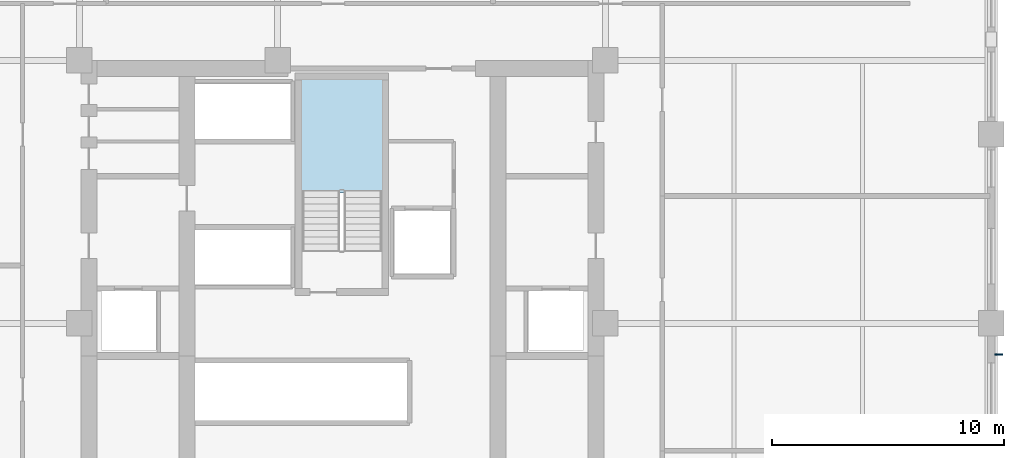
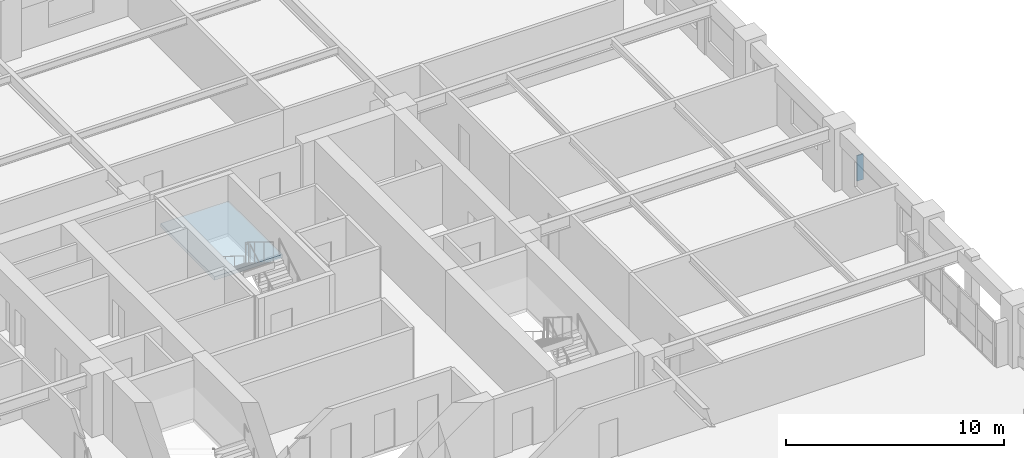
# One storey, part 6 of 13: 1 plate, 1 slab, 1 element without a shape of its own.
"""IFC4 building model written with IfcOpenShell, lengths in metres."""

from ifc_helpers import new_model, si_unit, direction, frame, origin, origin_2d, place, context, subcontext, project, spatial, polyline, rectangle, outline, extrude, material, layer, layer_set, type_object, element, aggregate, save


model = new_model("IFC4")

# Units and contexts
model_context = context("Model", 3, precision=1e-05, world=origin(), true_north=direction((0.0, 1.0)))
body_context = subcontext(model_context, "Body", "Model", "MODEL_VIEW")
ifc_project = project(units=[si_unit("LENGTHUNIT", "METRE"), si_unit("AREAUNIT", "SQUARE_METRE"), si_unit("VOLUMEUNIT", "CUBIC_METRE"), si_unit("PLANEANGLEUNIT", "RADIAN"), si_unit("MASSUNIT", "GRAM", prefix="KILO")], contexts=[model_context])

# Site, building, storey
site_placement = place(None, origin())
site = spatial("IfcSite", under=ifc_project, at=site_placement, CompositionType="ELEMENT")
building_placement = place(site_placement, origin())
building = spatial("IfcBuilding", under=site, at=building_placement, Name="Nhamokura Convention Tower", CompositionType="ELEMENT")
storey_placement = place(building_placement, frame((0.0, 0.0, 92.75)))
storey = spatial("IfcBuildingStorey", under=building, at=storey_placement, Name="L22", CompositionType="ELEMENT", Elevation=92.75)

# Plate
ifc_material_1 = material(Name="Anodised bronze aluminium AA6063-T6", Category="aluminium")
plate_type = type_object("IfcPlateType", Name="BronzeSolarFin_1", PredefinedType="USERDEFINED", material=ifc_material_1)
plate_placement = place(storey_placement, frame((60.330078125, 30.64990234375, 0.85009765625), z_axis=(0.0, 0.0, 1.0), x_axis=(1.0, 0.0, 0.0)))
element("IfcPlate", 1, at=plate_placement, inside=storey, type_object=plate_type, Name="L22 Bronze Solar Shading Fin EAST 2", ObjectType="SOLAR_FIN", PredefinedType="USERDEFINED", context=body_context, shape_type="SweptSolid", body=[
    extrude(rectangle(XDim=0.340087890625, YDim=0.06005859375, at=origin_2d()), origin(), (0.0, 0.0, 1.0), 1.429931640625),
])

# Stair, slab
ifc_material_2 = material(Name="Concrete C40/50", Category="concrete")
stair_type = type_object("IfcStairType", Name="TowerCoreStair_1650", PredefinedType="HALF_TURN_STAIR", material=ifc_material_2)
stair_placement = place(storey_placement, origin())
stair = element("IfcStair", 2, at=stair_placement, inside=storey, type_object=stair_type, Name="L22 North Core Smokeproof Stair ST-03", PredefinedType="HALF_TURN_STAIR")
ifc_material_3 = material(Name="Concrete C40/50", Category="concrete")
ifc_layer = layer(ifc_material_3, 0.199951171875)
ifc_layer_set = layer_set([ifc_layer], Name="StairLandingSlab_200")
slab_type = type_object("IfcSlabType", Name="StairLandingSlab_200", PredefinedType="LANDING", material=ifc_layer_set)
slab_placement = place(storey_placement, frame((0.0, 0.0, 1.550048828125)))
slab = element("IfcSlab", 3, at=slab_placement, type_object=slab_type, Name="ST-03 landing 1", PredefinedType="LANDING", context=body_context, shape_type="SweptSolid", body=[
    extrude(outline(polyline([(33.780029296875, 37.635009765625), (33.780029296875, 42.580078125), (30.169921875, 42.580078125), (30.169921875, 37.635009765625), (33.780029296875, 37.635009765625)])), origin(), (0.0, 0.0, 1.0), 0.199951171875),
])
aggregate(stair, [slab])

save(model, "model.ifc")
